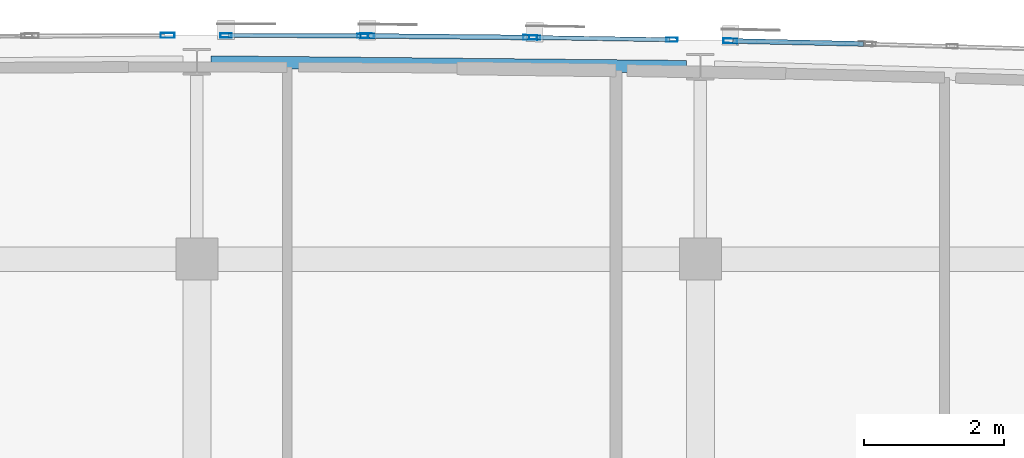
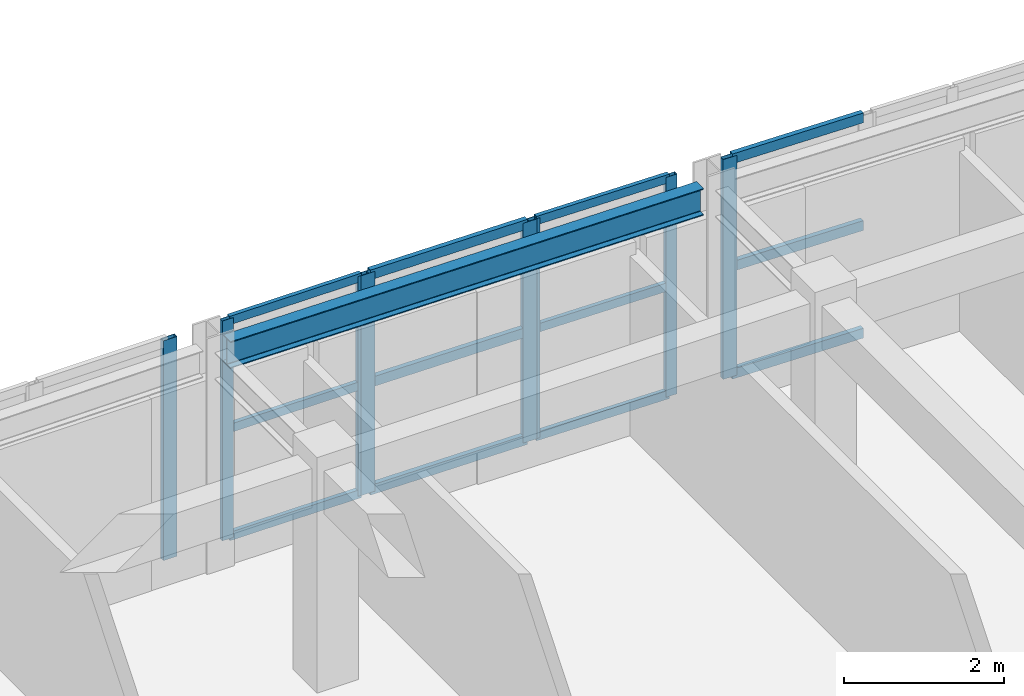
# One storey, part 18 of 45: 20 members, 1 beam, 5 elements without a shape of their own.
"""IFC4 building model written with IfcOpenShell, lengths in metres."""

from ifc_helpers import new_model, si_unit, direction, frame, origin, origin_2d, place, context, subcontext, project, spatial, hollow_rectangle, i_section, extrude, material, layer, layer_set, material_profile, profile_set, type_object, element, aggregate, save


model = new_model("IFC4")

# Units and contexts
model_context = context("Model", 3, precision=1e-05, world=origin(), true_north=direction((0.0, 1.0)))
body_context = subcontext(model_context, "Body", "Model", "MODEL_VIEW")
ifc_project = project(units=[si_unit("LENGTHUNIT", "METRE"), si_unit("AREAUNIT", "SQUARE_METRE"), si_unit("VOLUMEUNIT", "CUBIC_METRE"), si_unit("PLANEANGLEUNIT", "RADIAN"), si_unit("MASSUNIT", "GRAM", prefix="KILO")], contexts=[model_context])

# Site, building, storey
site_placement = place(None, origin())
site = spatial("IfcSite", under=ifc_project, at=site_placement, CompositionType="ELEMENT")
building_placement = place(site_placement, origin())
building = spatial("IfcBuilding", under=site, at=building_placement, Name="Carrowvane Square Congress Hotel", CompositionType="ELEMENT")
storey_placement = place(building_placement, frame((0.0, 0.0, 33.60009765625)))
storey = spatial("IfcBuildingStorey", under=building, at=storey_placement, Name="L08", CompositionType="ELEMENT", Elevation=33.60009765625)

# Beam
ifc_material_1 = material(Name="Steel S355", Category="steel")
ifc_material_profile_1 = material_profile(ifc_material_1, i_section(OverallWidth=0.1787109375, OverallDepth=0.409423828125, WebThickness=0.0087890625, FlangeThickness=0.014404296875, FilletRadius=0.01025390625, at=origin_2d()), Name="UKB 406x178x67")
ifc_profile_set_1 = profile_set([ifc_material_profile_1], Name="Steel S355")
beam_type = type_object("IfcBeamType", Name="BM-ST-UKB406", PredefinedType="BEAM", material=ifc_profile_set_1)
beam_placement = place(storey_placement, frame((98.197509765625, 116.218017578125, 3.1552734375), z_axis=(0.99995239219, -0.009757733037, 0.0), x_axis=(0.009757733037, 0.99995239219, 0.0)))
element("IfcBeam", 1, at=beam_placement, inside=storey, type_object=beam_type, Name="L09 curved north spandrel", PredefinedType="BEAM", context=body_context, shape_type="SweptSolid", body=[
    extrude(i_section(OverallWidth=0.1787109375, OverallDepth=0.409423828125, WebThickness=0.0087890625, FlangeThickness=0.014404296875, FilletRadius=0.01025390625, at=origin_2d()), origin(), (0.0, 0.0, 1.0), 6.805419921875),
])

# Curtain wall, members
ifc_material_2 = material(Name="Anodised aluminium", Category="aluminium")
ifc_layer_1 = layer(ifc_material_2, 0.18603515625)
ifc_layer_set_1 = layer_set([ifc_layer_1], Name="Anodised aluminium")
curtain_wall_type_1 = type_object("IfcCurtainWallType", Name="CW-SYS-3", PredefinedType="NOTDEFINED", material=ifc_layer_set_1)
curtain_wall_1_placement = place(storey_placement, origin())
curtain_wall_1 = element("IfcCurtainWall", 2, at=curtain_wall_1_placement, inside=storey, type_object=curtain_wall_type_1, Name="L08 unitised curtain wall 482", PredefinedType="NOTDEFINED")
ifc_material_3 = material(Name="Anodised aluminium", Category="aluminium")
ifc_material_profile_2 = material_profile(ifc_material_3, hollow_rectangle(XDim=0.06005859375, YDim=0.159912109375, WallThickness=0.00390625, at=origin_2d()), Name="CW-ML 60x160x4")
ifc_profile_set_2 = profile_set([ifc_material_profile_2], Name="Anodised aluminium")
member_type_1 = type_object("IfcMemberType", Name="CW-MUL-1", PredefinedType="MULLION", material=ifc_profile_set_2)
member_1_placement = place(storey_placement, frame((98.414794921875, 116.5986328125, 0.0), z_axis=(0.0, 0.0, 1.0), x_axis=(0.003270307911, 0.999994652529, 0.0)))
member_1 = element("IfcMember", 3, at=member_1_placement, type_object=member_type_1, Name="CW-3 mullion 1", PredefinedType="MULLION", context=body_context, shape_type="SweptSolid", body=[
    extrude(hollow_rectangle(XDim=0.06005859375, YDim=0.159912109375, WallThickness=0.00390625, at=origin_2d()), origin(), (0.0, 0.0, 1.0), 3.35986328125),
])
member_2_placement = place(storey_placement, frame((100.369873046875, 116.59228515625, 0.0), z_axis=(0.0, 0.0, 1.0), x_axis=(0.003270307911, 0.999994652529, 0.0)))
member_2 = element("IfcMember", 4, at=member_2_placement, type_object=member_type_1, Name="CW-3 mullion 2", PredefinedType="MULLION", context=body_context, shape_type="SweptSolid", body=[
    extrude(hollow_rectangle(XDim=0.06005859375, YDim=0.159912109375, WallThickness=0.00390625, at=origin_2d()), origin(), (0.0, 0.0, 1.0), 3.35986328125),
])

ifc_material_4 = material(Name="Anodised aluminium", Category="aluminium")
ifc_layer_2 = layer(ifc_material_4, 0.2099609375)
ifc_layer_set_2 = layer_set([ifc_layer_2], Name="Anodised aluminium")
curtain_wall_type_2 = type_object("IfcCurtainWallType", Name="CW-SYS-5", PredefinedType="NOTDEFINED", material=ifc_layer_set_2)
curtain_wall_2_placement = place(storey_placement, origin())
curtain_wall_2 = element("IfcCurtainWall", 5, at=curtain_wall_2_placement, inside=storey, type_object=curtain_wall_type_2, Name="L08 unitised curtain wall 484", PredefinedType="NOTDEFINED")
member_3_placement = place(storey_placement, frame((102.830078125, 116.568115234375, 0.0), z_axis=(0.0, 0.0, 1.0), x_axis=(0.016215981364, 0.99986851233, 0.0)))
member_3 = element("IfcMember", 6, at=member_3_placement, type_object=member_type_1, Name="CW-5 mullion 1", PredefinedType="MULLION", context=body_context, shape_type="SweptSolid", body=[
    extrude(hollow_rectangle(XDim=0.06005859375, YDim=0.159912109375, WallThickness=0.00390625, at=origin_2d()), origin(), (0.0, 0.0, 1.0), 3.35986328125),
])
member_4_placement = place(storey_placement, frame((104.79248046875, 116.536376953125, 0.0), z_axis=(0.0, 0.0, 1.0), x_axis=(0.016215981364, 0.99986851233, 0.0)))
member_4 = element("IfcMember", 7, at=member_4_placement, type_object=member_type_1, Name="CW-5 mullion 2", PredefinedType="MULLION", context=body_context, shape_type="SweptSolid", body=[
    extrude(hollow_rectangle(XDim=0.06005859375, YDim=0.159912109375, WallThickness=0.00390625, at=origin_2d()), origin(), (0.0, 0.0, 1.0), 3.35986328125),
])

# Curtain wall, member
ifc_material_5 = material(Name="Anodised aluminium", Category="aluminium")
ifc_layer_3 = layer(ifc_material_5, 0.174072265625)
ifc_layer_set_3 = layer_set([ifc_layer_3], Name="Anodised aluminium")
curtain_wall_type_3 = type_object("IfcCurtainWallType", Name="CW-SYS-2", PredefinedType="NOTDEFINED", material=ifc_layer_set_3)
curtain_wall_3_placement = place(storey_placement, origin())
curtain_wall_3 = element("IfcCurtainWall", 8, at=curtain_wall_3_placement, inside=storey, type_object=curtain_wall_type_3, Name="L08 unitised curtain wall 481", PredefinedType="NOTDEFINED")
ifc_material_6 = material(Name="Anodised aluminium", Category="aluminium")
ifc_material_profile_3 = material_profile(ifc_material_6, hollow_rectangle(XDim=0.070068359375, YDim=0.199951171875, WallThickness=0.0048828125, at=origin_2d()), Name="CW-ML 70x200x5")
ifc_profile_set_3 = profile_set([ifc_material_profile_3], Name="Anodised aluminium")
member_type_2 = type_object("IfcMemberType", Name="CW-MUL-2", PredefinedType="MULLION", material=ifc_profile_set_3)
member_5_placement = place(storey_placement, frame((97.580078125, 116.5986328125, 0.0), z_axis=(0.0, 0.0, 1.0), x_axis=(-0.003270307911, 0.999994652529, 0.0)))
member_5 = element("IfcMember", 9, at=member_5_placement, type_object=member_type_2, Name="CW-2 mullion 2", PredefinedType="MULLION", context=body_context, shape_type="SweptSolid", body=[
    extrude(hollow_rectangle(XDim=0.070068359375, YDim=0.199951171875, WallThickness=0.0048828125, at=origin_2d()), origin(), (0.0, 0.0, 1.0), 3.35986328125),
])
aggregate(curtain_wall_3, [member_5])

# Curtain wall, members
ifc_material_7 = material(Name="Anodised aluminium", Category="aluminium")
ifc_layer_4 = layer(ifc_material_7, 0.197998046875)
ifc_layer_set_4 = layer_set([ifc_layer_4], Name="Anodised aluminium")
curtain_wall_type_4 = type_object("IfcCurtainWallType", Name="CW-SYS-4", PredefinedType="NOTDEFINED", material=ifc_layer_set_4)
curtain_wall_4_placement = place(storey_placement, origin())
curtain_wall_4 = element("IfcCurtainWall", 10, at=curtain_wall_4_placement, inside=storey, type_object=curtain_wall_type_4, Name="L08 unitised curtain wall 483", PredefinedType="NOTDEFINED")
member_6_placement = place(storey_placement, frame((100.43505859375, 116.591796875, 0.0), z_axis=(0.0, 0.0, 1.0), x_axis=(0.009782905924, 0.999952146231, 0.0)))
member_6 = element("IfcMember", 11, at=member_6_placement, type_object=member_type_2, Name="CW-4 mullion 1", PredefinedType="MULLION", context=body_context, shape_type="SweptSolid", body=[
    extrude(hollow_rectangle(XDim=0.070068359375, YDim=0.199951171875, WallThickness=0.0048828125, at=origin_2d()), origin(), (0.0, 0.0, 1.0), 3.35986328125),
])
member_7_placement = place(storey_placement, frame((102.764892578125, 116.569091796875, 0.0), z_axis=(0.0, 0.0, 1.0), x_axis=(0.009782905924, 0.999952146231, 0.0)))
member_7 = element("IfcMember", 12, at=member_7_placement, type_object=member_type_2, Name="CW-4 mullion 2", PredefinedType="MULLION", context=body_context, shape_type="SweptSolid", body=[
    extrude(hollow_rectangle(XDim=0.070068359375, YDim=0.199951171875, WallThickness=0.0048828125, at=origin_2d()), origin(), (0.0, 0.0, 1.0), 3.35986328125),
])

# Curtain wall, member
ifc_material_8 = material(Name="Anodised aluminium", Category="aluminium")
ifc_layer_5 = layer(ifc_material_8, 0.221923828125)
ifc_layer_set_5 = layer_set([ifc_layer_5], Name="Anodised aluminium")
curtain_wall_type_5 = type_object("IfcCurtainWallType", Name="CW-SYS-6", PredefinedType="NOTDEFINED", material=ifc_layer_set_5)
curtain_wall_5_placement = place(storey_placement, origin())
curtain_wall_5 = element("IfcCurtainWall", 13, at=curtain_wall_5_placement, inside=storey, type_object=curtain_wall_type_5, Name="L08 unitised curtain wall 485", PredefinedType="NOTDEFINED")
member_8_placement = place(storey_placement, frame((105.627197265625, 116.52001953125, 0.0), z_axis=(0.0, 0.0, 1.0), x_axis=(0.022517686606, 0.99974644475, 0.0)))
member_8 = element("IfcMember", 14, at=member_8_placement, type_object=member_type_2, Name="CW-6 mullion 1", PredefinedType="MULLION", context=body_context, shape_type="SweptSolid", body=[
    extrude(hollow_rectangle(XDim=0.070068359375, YDim=0.199951171875, WallThickness=0.0048828125, at=origin_2d()), origin(), (0.0, 0.0, 1.0), 3.35986328125),
])

# Member
ifc_material_9 = material(Name="Anodised aluminium", Category="aluminium")
ifc_material_profile_4 = material_profile(ifc_material_9, hollow_rectangle(XDim=0.06005859375, YDim=0.1298828125, WallThickness=0.00390625, at=origin_2d()), Name="CW-TR 60x130x4")
ifc_profile_set_4 = profile_set([ifc_material_profile_4], Name="Anodised aluminium")
member_type_3 = type_object("IfcMemberType", Name="CW-TRN-1", PredefinedType="USERDEFINED", material=ifc_profile_set_4)
member_9_placement = place(storey_placement, frame((98.44482421875, 116.5986328125, 0.02978515625), z_axis=(0.999994391408, -0.003349201878, 0.0), x_axis=(0.003349201878, 0.999994391408, 0.0)))
member_9 = element("IfcMember", 15, at=member_9_placement, type_object=member_type_3, Name="CW-3 transom 1.1", ObjectType="TRANSOM", PredefinedType="USERDEFINED", context=body_context, shape_type="SweptSolid", body=[
    extrude(hollow_rectangle(XDim=0.06005859375, YDim=0.1298828125, WallThickness=0.00390625, at=origin_2d()), origin(), (0.0, 0.0, 1.0), 1.895263671875),
])

member_10_placement = place(storey_placement, frame((98.44482421875, 116.5986328125, 1.679931640625), z_axis=(0.999994391408, -0.003349201878, 0.0), x_axis=(0.003349201878, 0.999994391408, 0.0)))
member_10 = element("IfcMember", 16, at=member_10_placement, type_object=member_type_3, Name="CW-3 transom 1.2", ObjectType="TRANSOM", PredefinedType="USERDEFINED", context=body_context, shape_type="SweptSolid", body=[
    extrude(hollow_rectangle(XDim=0.06005859375, YDim=0.1298828125, WallThickness=0.00390625, at=origin_2d()), origin(), (0.0, 0.0, 1.0), 1.895263671875),
])

member_11_placement = place(storey_placement, frame((98.44482421875, 116.5986328125, 3.329833984375), z_axis=(0.999994391408, -0.003349201878, 0.0), x_axis=(0.003349201878, 0.999994391408, 0.0)))
member_11 = element("IfcMember", 17, at=member_11_placement, type_object=member_type_3, Name="CW-3 transom 1.3", ObjectType="TRANSOM", PredefinedType="USERDEFINED", context=body_context, shape_type="SweptSolid", body=[
    extrude(hollow_rectangle(XDim=0.06005859375, YDim=0.1298828125, WallThickness=0.00390625, at=origin_2d()), origin(), (0.0, 0.0, 1.0), 1.895263671875),
])

aggregate(curtain_wall_1, [member_1, member_2, member_9, member_10, member_11])

member_12_placement = place(storey_placement, frame((102.860107421875, 116.567626953125, 0.02978515625), z_axis=(0.999869284212, -0.016168317481, 0.0), x_axis=(0.016168317481, 0.999869284212, 0.0)))
member_12 = element("IfcMember", 18, at=member_12_placement, type_object=member_type_3, Name="CW-5 transom 1.1", ObjectType="TRANSOM", PredefinedType="USERDEFINED", context=body_context, shape_type="SweptSolid", body=[
    extrude(hollow_rectangle(XDim=0.06005859375, YDim=0.1298828125, WallThickness=0.00390625, at=origin_2d()), origin(), (0.0, 0.0, 1.0), 1.902587890625),
])

member_13_placement = place(storey_placement, frame((102.860107421875, 116.567626953125, 1.679931640625), z_axis=(0.999869284212, -0.016168317481, 0.0), x_axis=(0.016168317481, 0.999869284212, 0.0)))
member_13 = element("IfcMember", 19, at=member_13_placement, type_object=member_type_3, Name="CW-5 transom 1.2", ObjectType="TRANSOM", PredefinedType="USERDEFINED", context=body_context, shape_type="SweptSolid", body=[
    extrude(hollow_rectangle(XDim=0.06005859375, YDim=0.1298828125, WallThickness=0.00390625, at=origin_2d()), origin(), (0.0, 0.0, 1.0), 1.902587890625),
])

member_14_placement = place(storey_placement, frame((102.860107421875, 116.567626953125, 3.329833984375), z_axis=(0.999869284212, -0.016168317481, 0.0), x_axis=(0.016168317481, 0.999869284212, 0.0)))
member_14 = element("IfcMember", 20, at=member_14_placement, type_object=member_type_3, Name="CW-5 transom 1.3", ObjectType="TRANSOM", PredefinedType="USERDEFINED", context=body_context, shape_type="SweptSolid", body=[
    extrude(hollow_rectangle(XDim=0.06005859375, YDim=0.1298828125, WallThickness=0.00390625, at=origin_2d()), origin(), (0.0, 0.0, 1.0), 1.902587890625),
])

aggregate(curtain_wall_2, [member_3, member_4, member_12, member_13, member_14])

ifc_material_10 = material(Name="Anodised aluminium", Category="aluminium")
ifc_material_profile_5 = material_profile(ifc_material_10, hollow_rectangle(XDim=0.070068359375, YDim=0.14990234375, WallThickness=0.0048828125, at=origin_2d()), Name="CW-TR 70x150x5")
ifc_profile_set_5 = profile_set([ifc_material_profile_5], Name="Anodised aluminium")
member_type_4 = type_object("IfcMemberType", Name="CW-TRN-2", PredefinedType="USERDEFINED", material=ifc_profile_set_5)
member_15_placement = place(storey_placement, frame((100.469970703125, 116.591552734375, 0.034912109375), z_axis=(0.999951685133, -0.009829923663, 0.0), x_axis=(0.009829923663, 0.999951685133, 0.0)))
member_15 = element("IfcMember", 21, at=member_15_placement, type_object=member_type_4, Name="CW-4 transom 1.1", ObjectType="TRANSOM", PredefinedType="USERDEFINED", context=body_context, shape_type="SweptSolid", body=[
    extrude(hollow_rectangle(XDim=0.070068359375, YDim=0.14990234375, WallThickness=0.0048828125, at=origin_2d()), origin(), (0.0, 0.0, 1.0), 2.260009765625),
])

member_16_placement = place(storey_placement, frame((100.469970703125, 116.591552734375, 1.679931640625), z_axis=(0.999951685133, -0.009829923663, 0.0), x_axis=(0.009829923663, 0.999951685133, 0.0)))
member_16 = element("IfcMember", 22, at=member_16_placement, type_object=member_type_4, Name="CW-4 transom 1.2", ObjectType="TRANSOM", PredefinedType="USERDEFINED", context=body_context, shape_type="SweptSolid", body=[
    extrude(hollow_rectangle(XDim=0.070068359375, YDim=0.14990234375, WallThickness=0.0048828125, at=origin_2d()), origin(), (0.0, 0.0, 1.0), 2.260009765625),
])

member_17_placement = place(storey_placement, frame((100.469970703125, 116.591552734375, 3.324951171875), z_axis=(0.999951685133, -0.009829923663, 0.0), x_axis=(0.009829923663, 0.999951685133, 0.0)))
member_17 = element("IfcMember", 23, at=member_17_placement, type_object=member_type_4, Name="CW-4 transom 1.3", ObjectType="TRANSOM", PredefinedType="USERDEFINED", context=body_context, shape_type="SweptSolid", body=[
    extrude(hollow_rectangle(XDim=0.070068359375, YDim=0.14990234375, WallThickness=0.0048828125, at=origin_2d()), origin(), (0.0, 0.0, 1.0), 2.260009765625),
])

aggregate(curtain_wall_4, [member_6, member_7, member_15, member_16, member_17])

member_18_placement = place(storey_placement, frame((105.662353515625, 116.519287109375, 0.034912109375), z_axis=(0.999747338303, -0.022477979371, 0.0), x_axis=(0.022477979371, 0.999747338303, 0.0)))
member_18 = element("IfcMember", 24, at=member_18_placement, type_object=member_type_4, Name="CW-6 transom 1.1", ObjectType="TRANSOM", PredefinedType="USERDEFINED", context=body_context, shape_type="SweptSolid", body=[
    extrude(hollow_rectangle(XDim=0.070068359375, YDim=0.14990234375, WallThickness=0.0048828125, at=origin_2d()), origin(), (0.0, 0.0, 1.0), 1.8681640625),
])

member_19_placement = place(storey_placement, frame((105.662353515625, 116.519287109375, 1.679931640625), z_axis=(0.999747338303, -0.022477979371, 0.0), x_axis=(0.022477979371, 0.999747338303, 0.0)))
member_19 = element("IfcMember", 25, at=member_19_placement, type_object=member_type_4, Name="CW-6 transom 1.2", ObjectType="TRANSOM", PredefinedType="USERDEFINED", context=body_context, shape_type="SweptSolid", body=[
    extrude(hollow_rectangle(XDim=0.070068359375, YDim=0.14990234375, WallThickness=0.0048828125, at=origin_2d()), origin(), (0.0, 0.0, 1.0), 1.8681640625),
])

member_20_placement = place(storey_placement, frame((105.662353515625, 116.519287109375, 3.324951171875), z_axis=(0.999747338303, -0.022477979371, 0.0), x_axis=(0.022477979371, 0.999747338303, 0.0)))
member_20 = element("IfcMember", 26, at=member_20_placement, type_object=member_type_4, Name="CW-6 transom 1.3", ObjectType="TRANSOM", PredefinedType="USERDEFINED", context=body_context, shape_type="SweptSolid", body=[
    extrude(hollow_rectangle(XDim=0.070068359375, YDim=0.14990234375, WallThickness=0.0048828125, at=origin_2d()), origin(), (0.0, 0.0, 1.0), 1.8681640625),
])

aggregate(curtain_wall_5, [member_8, member_18, member_19, member_20])

save(model, "model.ifc")
